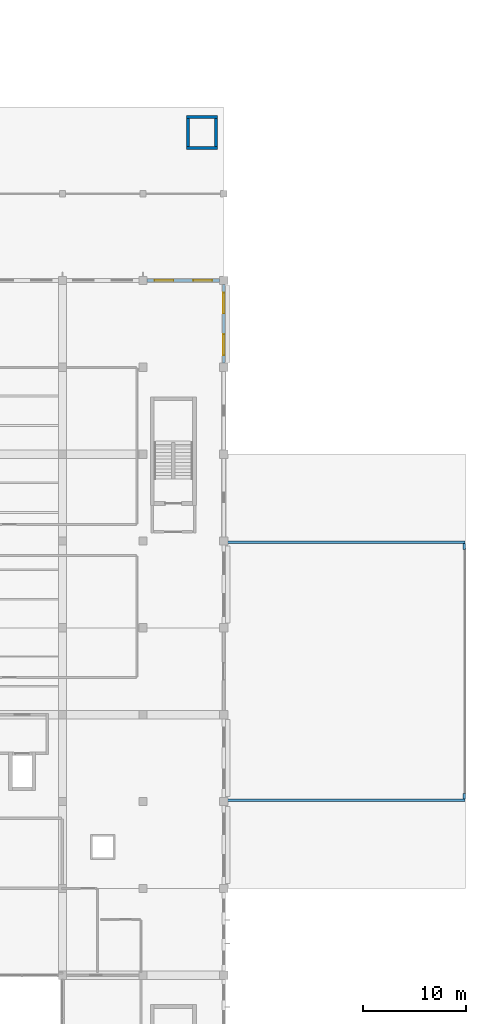
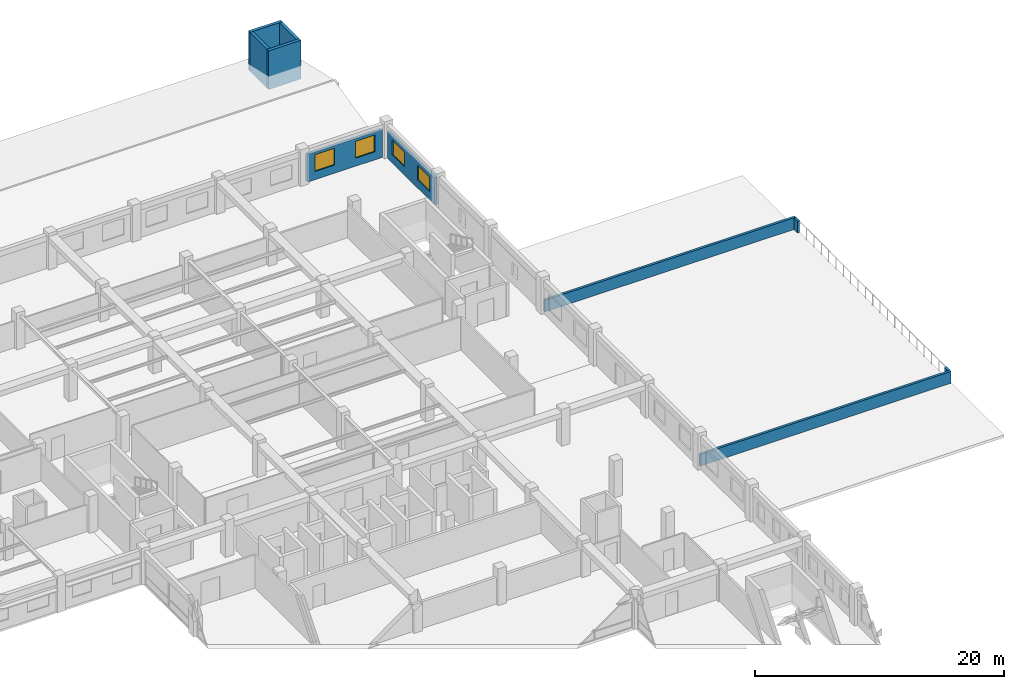
# One storey, part 46 of 50: 10 walls, 4 windows, 4 openings.
"""IFC4 building model written with IfcOpenShell, lengths in metres."""

import ifcopenshell
import ifcopenshell.guid

model = None  # the IFC model being written
_history = None  # IfcOwnerHistory: only IFC2X3 demands one
_inside = {}  # id of a spatial element -> (the spatial element, [elements in it])
_under = {}  # id of a project, library or spatial element -> (it, [spatial elements below it])
_declared = {}  # id of a project -> (the project, [libraries it declares])
_typed = {}  # id of a type object -> (the type object, [elements of that type])
_made_of = {}  # id of a material, layer set ... -> (it, [elements and type objects made of it])


def new_model(schema):
    """Start an empty IFC model of exactly this schema.

    Asked for "IFC4X3", IfcOpenShell would pick the latest addendum, in which some entities
    have other attributes; the version numbers below select the first issue.
    IFC2X3 requires an IfcOwnerHistory on every rooted entity: one is made here for all.
    """
    global model, _history
    if schema == "IFC4X3":
        model = ifcopenshell.file(schema_version=(4, 3, 0, 0))
    else:
        model = ifcopenshell.file(schema=schema)
    _inside.clear()
    _under.clear()
    _declared.clear()
    _typed.clear()
    _made_of.clear()
    _history = None
    if model.schema == "IFC2X3":
        org = make("IfcOrganization", Name="unknown")
        user = make(
            "IfcPersonAndOrganization",
            ThePerson=make("IfcPerson", FamilyName="unknown"),
            TheOrganization=org,
        )
        app = make(
            "IfcApplication",
            ApplicationDeveloper=org,
            Version="unknown",
            ApplicationFullName="unknown",
            ApplicationIdentifier="unknown",
        )
        _history = make(
            "IfcOwnerHistory",
            OwningUser=user,
            OwningApplication=app,
            ChangeAction="ADDED",
            CreationDate=0,
        )
    return model


def make(cls, **values):
    """One entity of the class cls with the attributes given. An attribute that is None is left unset."""
    return model.create_entity(
        cls, **{name: value for name, value in values.items() if value is not None}
    )


def rooted(cls, **values):
    """An entity with a GlobalId (a new one), such as an element, a storey or a relation."""
    return make(cls, GlobalId=ifcopenshell.guid.new(), OwnerHistory=_history, **values)


def si_unit(unit_type, name, prefix=None):
    """IfcSIUnit, for example si_unit("LENGTHUNIT", "METRE", prefix="MILLI")."""
    return make("IfcSIUnit", UnitType=unit_type, Prefix=prefix, Name=name)


def assignment(units):
    """IfcUnitAssignment: the units of a project."""
    return None if units is None else make("IfcUnitAssignment", Units=units)


def point(xyz):
    """IfcCartesianPoint."""
    return None if xyz is None else make("IfcCartesianPoint", Coordinates=xyz)


def direction(xyz):
    """IfcDirection."""
    return None if xyz is None else make("IfcDirection", DirectionRatios=xyz)


def frame(location, z_axis=None, x_axis=None):
    """IfcAxis2Placement3D, a coordinate frame: its origin and axes. An axis left out is left unset."""
    return make(
        "IfcAxis2Placement3D",
        Location=point(location),
        Axis=direction(z_axis),
        RefDirection=direction(x_axis),
    )


def frame_2d(location, x_axis=None):
    """IfcAxis2Placement2D, a coordinate frame in the plane: its origin and x axis."""
    return make(
        "IfcAxis2Placement2D", Location=point(location), RefDirection=direction(x_axis)
    )


def origin():
    """The frame at (0, 0, 0) with its axes left unset."""
    return frame((0.0, 0.0, 0.0))


def place(relative_to, where):
    """IfcLocalPlacement: puts the frame where relative to a parent placement (None: the world)."""
    return make(
        "IfcLocalPlacement", PlacementRelTo=relative_to, RelativePlacement=where
    )


def context(
    kind, dimensions, precision=None, world=None, true_north=None, identifier=None
):
    """IfcGeometricRepresentationContext, for example the 3D "Model" context."""
    return make(
        "IfcGeometricRepresentationContext",
        ContextIdentifier=identifier,
        ContextType=kind,
        CoordinateSpaceDimension=dimensions,
        Precision=precision,
        WorldCoordinateSystem=world,
        TrueNorth=true_north,
    )


def subcontext(parent, identifier, kind, view, scale=None):
    """IfcGeometricRepresentationSubContext, for example "Body" below "Model"."""
    return make(
        "IfcGeometricRepresentationSubContext",
        ContextIdentifier=identifier,
        ContextType=kind,
        ParentContext=parent,
        TargetScale=scale,
        TargetView=view,
    )


def project(units=None, contexts=None):
    """IfcProject with its units and contexts."""
    return rooted(
        "IfcProject",
        Name="project",
        RepresentationContexts=contexts,
        UnitsInContext=assignment(units),
    )


def spatial(cls, under=None, at=None, **own):
    """A site, building, storey or space (cls), placed at a placement, below another one or the project."""
    s = rooted(cls, ObjectPlacement=at, **own)
    if under is not None:
        _under.setdefault(under.id(), (under, []))[1].append(s)
    return s


def profile(cls, at=None, kind="AREA", **sizes):
    """A parametric profile (cls). Its sizes go by their IFC names, for example OverallWidth=200.0."""
    return make(cls, ProfileType=kind, Position=at, **sizes)


def rectangle(**sizes):
    """IfcRectangleProfileDef."""
    return profile("IfcRectangleProfileDef", **sizes)


def extrude(swept, where, along, depth):
    """IfcExtrudedAreaSolid: the profile swept, set in the frame where, extruded along a direction by depth."""
    return make(
        "IfcExtrudedAreaSolid",
        SweptArea=swept,
        Position=where,
        ExtrudedDirection=direction(along),
        Depth=depth,
    )


def shape(context_of_items, identifier, shape_type, items):
    """IfcShapeRepresentation: the items that make up one representation, for example the "Body"."""
    return make(
        "IfcShapeRepresentation",
        ContextOfItems=context_of_items,
        RepresentationIdentifier=identifier,
        RepresentationType=shape_type,
        Items=items,
    )


def material(Name=None, Category=None):
    """IfcMaterial."""
    return make("IfcMaterial", Name=Name, Category=Category)


def layer(
    of_material, thickness, ventilated=None, Name=None, Category=None, Priority=None
):
    """IfcMaterialLayer: one layer of a wall or slab, of a material (None: an air gap)."""
    return make(
        "IfcMaterialLayer",
        Material=of_material,
        LayerThickness=thickness,
        IsVentilated=ventilated,
        Name=Name,
        Category=Category,
        Priority=Priority,
    )


def layer_set(layers, Name=None):
    """IfcMaterialLayerSet."""
    return make("IfcMaterialLayerSet", MaterialLayers=layers, LayerSetName=Name)


def made_of(thing, what):
    """Note that an element or type object is made of a material, layer set ...; save() writes the relation."""
    if what is not None:
        _made_of.setdefault(what.id(), (what, []))[1].append(thing)
    return thing


def type_object(cls, material=None, **own):
    """A type object (cls), such as IfcWallType, which elements share."""
    return made_of(rooted(cls, **own), material)


def element(
    cls,
    number,
    at=None,
    inside=None,
    cuts=None,
    type_object=None,
    material=None,
    context=None,
    identifier="Body",
    shape_type=None,
    held_by="IfcProductDefinitionShape",
    body=None,
    shapes=None,
    **own,
):
    """One element of the class cls, such as IfcWall. Its Tag is "e" and its number.

    at: its placement. inside: the storey or other place that contains it. cuts: it is an
    opening in that element (IfcRelVoidsElement). A single representation is given by context,
    identifier, shape_type and body (its items); several are given by shapes. held_by: the class
    of the entity that holds the representations. save() writes the other relations.
    """
    e = rooted(cls, Tag="e%d" % number, ObjectPlacement=at, **own)
    if body is not None:
        shapes = [shape(context, identifier, shape_type, body)]
    if shapes is not None:
        e.Representation = make(held_by, Representations=shapes)
    if inside is not None:
        _inside.setdefault(inside.id(), (inside, []))[1].append(e)
    if cuts is not None:
        rooted(
            "IfcRelVoidsElement", RelatingBuildingElement=cuts, RelatedOpeningElement=e
        )
    if type_object is not None:
        _typed.setdefault(type_object.id(), (type_object, []))[1].append(e)
    return made_of(e, material)


def fill(opening, filler):
    """IfcRelFillsElement: the door or window that sits in an opening."""
    return rooted(
        "IfcRelFillsElement",
        RelatingOpeningElement=opening,
        RelatedBuildingElement=filler,
    )


def aggregate(whole, parts):
    """IfcRelAggregates: a whole, such as a stair, and the parts it consists of."""
    return rooted("IfcRelAggregates", RelatingObject=whole, RelatedObjects=parts)


def save(model, path):
    """Write the relations noted so far, then the file.

    IfcRelAggregates (storeys below a building ...), IfcRelContainedInSpatialStructure (elements
    in a storey), IfcRelDefinesByType, IfcRelAssociatesMaterial and IfcRelDeclares: one each for
    every whole, place, type object, material and project.
    """
    for whole, parts in _under.values():
        aggregate(whole, parts)
    for where, things in _inside.values():
        rooted(
            "IfcRelContainedInSpatialStructure",
            RelatedElements=things,
            RelatingStructure=where,
        )
    for kind, things in _typed.values():
        rooted("IfcRelDefinesByType", RelatedObjects=things, RelatingType=kind)
    for what, things in _made_of.values():
        rooted("IfcRelAssociatesMaterial", RelatedObjects=things, RelatingMaterial=what)
    for by, libraries in _declared.values():
        rooted("IfcRelDeclares", RelatingContext=by, RelatedDefinitions=libraries)
    model.write(path)


model = new_model("IFC4")

# Units and contexts
model_context = context("Model", 3, precision=1e-05, world=origin(), true_north=direction((0.0, 1.0)))
body_context = subcontext(model_context, "Body", "Model", "MODEL_VIEW")
ifc_project = project(units=[si_unit("LENGTHUNIT", "METRE"), si_unit("AREAUNIT", "SQUARE_METRE"), si_unit("VOLUMEUNIT", "CUBIC_METRE"), si_unit("PLANEANGLEUNIT", "RADIAN"), si_unit("MASSUNIT", "GRAM", prefix="KILO"), si_unit("THERMODYNAMICTEMPERATUREUNIT", "KELVIN"), si_unit("POWERUNIT", "WATT")], contexts=[model_context])

# Site, building, storey
site_placement = place(None, origin())
site = spatial("IfcSite", under=ifc_project, at=site_placement, CompositionType="ELEMENT")
building_placement = place(site_placement, origin())
building = spatial("IfcBuilding", under=site, at=building_placement, Name="Srebrne Nadtorze General Hospital", CompositionType="ELEMENT")
storey_placement = place(building_placement, frame((0.0, 0.0, 14.39990234375)))
storey = spatial("IfcBuildingStorey", under=building, at=storey_placement, Name="L03", CompositionType="ELEMENT", Elevation=14.39990234375)

# Walls
ifc_material_1 = material(Name="Concrete C35/45 precast", Category="concrete")
ifc_layer_1 = layer(ifc_material_1, 0.219970703125)
ifc_layer_set_1 = layer_set([ifc_layer_1], Name="Concrete C35/45 precast")
wall_type_1 = type_object("IfcWallType", Name="Roof parapet wall 220", PredefinedType="PARAPET", material=ifc_layer_set_1)
for number, where, z_axis, x_axis, name in (
    (1, (148.25, 42.1201171875, 0.0), (0.0, 0.0, 1.0), (1.0, 0.0, 0.0), "Terrace divider parapet WP-TER-L03-05"),
    (2, (148.25, 67.080078125, 0.0), (0.0, 0.0, 1.0), (1.0, 0.0, 0.0), "Terrace divider parapet WP-TER-L03-06"),
):
    element("IfcWall", number, at=place(storey_placement, frame(where, z_axis=z_axis, x_axis=x_axis)), inside=storey, type_object=wall_type_1, Name=name, PredefinedType="PARAPET", context=body_context, shape_type="SweptSolid", body=[
        extrude(rectangle(XDim=23.300048828125, YDim=0.219970703125, at=frame_2d((11.64990234375, 0.0))), origin(), (0.0, 0.0, 1.0), 1.150146484375),
    ])
for number, where, z_axis, x_axis, name in (
    (3, (171.47998046875, 42.22998046875, 0.0), (0.0, 0.0, 1.0), (0.0, 1.0, 0.0), "Terrace divider parapet WP-TER-L03-07"),
    (4, (171.47998046875, 66.39990234375, 0.0), (0.0, 0.0, 1.0), (0.0, 1.0, 0.0), "Terrace divider parapet WP-TER-L03-08"),
):
    element("IfcWall", number, at=place(storey_placement, frame(where, z_axis=z_axis, x_axis=x_axis)), inside=storey, type_object=wall_type_1, Name=name, PredefinedType="PARAPET", context=body_context, shape_type="SweptSolid", body=[
        extrude(rectangle(XDim=0.570068359375, YDim=0.219970703125, at=frame_2d((0.28515625, 0.0))), origin(), (0.0, 0.0, 1.0), 1.150146484375),
    ])

# Wall, openings, windows
ifc_material_2 = material(Name="Concrete C35/45 precast", Category="concrete")
ifc_layer_2 = layer(ifc_material_2, 0.260009765625)
ifc_layer_set_2 = layer_set([ifc_layer_2], Name="Concrete C35/45 precast")
wall_type_2 = type_object("IfcWallType", Name="Spandrel wall 260", PredefinedType="STANDARD", material=ifc_layer_set_2)
wall_1_placement = place(storey_placement, frame((140.800048828125, 92.39990234375, 0.0), z_axis=(0.0, 0.0, 1.0), x_axis=(1.0, 0.0, 0.0)))
wall_1 = element("IfcWall", 5, at=wall_1_placement, inside=storey, type_object=wall_type_2, Name="Exterior wall WL-ENV-L03-0313", PredefinedType="STANDARD", context=body_context, shape_type="SweptSolid", body=[
    extrude(rectangle(XDim=7.0, YDim=0.260009765625, at=frame_2d((3.5, 0.0))), origin(), (0.0, 0.0, 1.0), 2.72021484375),
])
opening_1_placement = place(wall_1_placement, frame((0.72802734375, 0.0, 0.800048828125)))
opening_1 = element("IfcOpeningElement", 6, at=opening_1_placement, cuts=wall_1, Name="Opening WN-L03-0445", PredefinedType="OPENING", context=body_context, shape_type="SweptSolid", body=[
    extrude(rectangle(XDim=1.800048828125, YDim=1.64990234375, at=frame_2d((0.89990234375, 0.824951171875))), frame((0.0, 0.14208984375, 0.0), z_axis=(0.0, -1.0, 0.0), x_axis=(1.0, 0.0, 0.0)), (0.0, 0.0, 1.0), 0.283935546875),
])
opening_2_placement = place(wall_1_placement, frame((4.471923828125, 0.0, 0.800048828125)))
opening_2 = element("IfcOpeningElement", 7, at=opening_2_placement, cuts=wall_1, Name="Opening WN-L03-0446", PredefinedType="OPENING", context=body_context, shape_type="SweptSolid", body=[
    extrude(rectangle(XDim=1.800048828125, YDim=1.64990234375, at=frame_2d((0.89990234375, 0.824951171875))), frame((0.0, 0.14208984375, 0.0), z_axis=(0.0, -1.0, 0.0), x_axis=(1.0, 0.0, 0.0)), (0.0, 0.0, 1.0), 0.283935546875),
])
ifc_material_3 = material(Name="Triple Low-E Glazing", Category="glass")
window_type_1 = type_object("IfcWindowType", Name="Punched clinical window 1800x1650", PartitioningType="DOUBLE_PANEL_VERTICAL", PredefinedType="WINDOW", material=ifc_material_3)
window_1_placement = place(opening_1_placement, origin())
window_1 = element("IfcWindow", 8, at=window_1_placement, inside=storey, type_object=window_type_1, Name="Clinical window WN-L03-0445", OverallHeight=1.64990234375, OverallWidth=1.800048828125, PartitioningType="DOUBLE_PANEL_VERTICAL", PredefinedType="WINDOW", context=body_context, shape_type="SweptSolid", body=[
    extrude(rectangle(XDim=1.800048828125, YDim=1.64990234375, at=frame_2d((0.89990234375, 0.824951171875))), frame((0.0, 0.030029296875, 0.0), z_axis=(0.0, -1.0, 0.0), x_axis=(1.0, 0.0, 0.0)), (0.0, 0.0, 1.0), 0.06005859375),
])
fill(opening_1, window_1)
window_2_placement = place(opening_2_placement, origin())
window_2 = element("IfcWindow", 9, at=window_2_placement, inside=storey, type_object=window_type_1, Name="Clinical window WN-L03-0446", OverallHeight=1.64990234375, OverallWidth=1.800048828125, PartitioningType="DOUBLE_PANEL_VERTICAL", PredefinedType="WINDOW", context=body_context, shape_type="SweptSolid", body=[
    extrude(rectangle(XDim=1.800048828125, YDim=1.64990234375, at=frame_2d((0.89990234375, 0.824951171875))), frame((0.0, 0.030029296875, 0.0), z_axis=(0.0, -1.0, 0.0), x_axis=(1.0, 0.0, 0.0)), (0.0, 0.0, 1.0), 0.06005859375),
])
fill(opening_2, window_2)

wall_2_placement = place(storey_placement, frame((148.199951171875, 84.39990234375, 0.0), z_axis=(0.0, 0.0, 1.0), x_axis=(0.0, 1.0, 0.0)))
wall_2 = element("IfcWall", 10, at=wall_2_placement, inside=storey, type_object=wall_type_2, Name="Exterior wall WL-ENV-L03-0343", PredefinedType="STANDARD", context=body_context, shape_type="SweptSolid", body=[
    extrude(rectangle(XDim=7.60009765625, YDim=0.260009765625, at=frame_2d((3.800048828125, 0.0))), origin(), (0.0, 0.0, 1.0), 2.6201171875),
])
opening_3_placement = place(wall_2_placement, frame((0.783935546875, 0.0, 0.800048828125)))
opening_3 = element("IfcOpeningElement", 11, at=opening_3_placement, cuts=wall_2, Name="Opening WN-L03-0505", PredefinedType="OPENING", context=body_context, shape_type="SweptSolid", body=[
    extrude(rectangle(XDim=2.0, YDim=1.449951171875, at=frame_2d((1.0, 0.72509765625))), frame((0.0, 0.14208984375, 0.0), z_axis=(0.0, -1.0, 0.0), x_axis=(1.0, 0.0, 0.0)), (0.0, 0.0, 1.0), 0.283935546875),
])
opening_4_placement = place(wall_2_placement, frame((4.81591796875, 0.0, 0.800048828125)))
opening_4 = element("IfcOpeningElement", 12, at=opening_4_placement, cuts=wall_2, Name="Opening WN-L03-0506", PredefinedType="OPENING", context=body_context, shape_type="SweptSolid", body=[
    extrude(rectangle(XDim=2.0, YDim=1.449951171875, at=frame_2d((1.0, 0.72509765625))), frame((0.0, 0.14208984375, 0.0), z_axis=(0.0, -1.0, 0.0), x_axis=(1.0, 0.0, 0.0)), (0.0, 0.0, 1.0), 0.283935546875),
])
ifc_material_4 = material(Name="Triple Low-E Glazing", Category="glass")
window_type_2 = type_object("IfcWindowType", Name="Punched clinical window 2000x1450", PartitioningType="DOUBLE_PANEL_VERTICAL", PredefinedType="WINDOW", material=ifc_material_4)
window_3_placement = place(opening_3_placement, origin())
window_3 = element("IfcWindow", 13, at=window_3_placement, inside=storey, type_object=window_type_2, Name="Clinical window WN-L03-0505", OverallHeight=1.449951171875, OverallWidth=2.0, PartitioningType="DOUBLE_PANEL_VERTICAL", PredefinedType="WINDOW", context=body_context, shape_type="SweptSolid", body=[
    extrude(rectangle(XDim=2.0, YDim=1.449951171875, at=frame_2d((1.0, 0.72509765625))), frame((0.0, 0.030029296875, 0.0), z_axis=(0.0, -1.0, 0.0), x_axis=(1.0, 0.0, 0.0)), (0.0, 0.0, 1.0), 0.06005859375),
])
fill(opening_3, window_3)
window_4_placement = place(opening_4_placement, origin())
window_4 = element("IfcWindow", 14, at=window_4_placement, inside=storey, type_object=window_type_2, Name="Clinical window WN-L03-0506", OverallHeight=1.449951171875, OverallWidth=2.0, PartitioningType="DOUBLE_PANEL_VERTICAL", PredefinedType="WINDOW", context=body_context, shape_type="SweptSolid", body=[
    extrude(rectangle(XDim=2.0, YDim=1.449951171875, at=frame_2d((1.0, 0.72509765625))), frame((0.0, 0.030029296875, 0.0), z_axis=(0.0, -1.0, 0.0), x_axis=(1.0, 0.0, 0.0)), (0.0, 0.0, 1.0), 0.06005859375),
])
fill(opening_4, window_4)

# Walls
ifc_material_5 = material(Name="Concrete C35/45 precast", Category="concrete")
ifc_layer_3 = layer(ifc_material_5, 0.280029296875)
ifc_layer_set_3 = layer_set([ifc_layer_3], Name="Concrete C35/45 precast")
wall_type_3 = type_object("IfcWallType", Name="Spandrel wall 280", PredefinedType="STANDARD", material=ifc_layer_set_3)
for number, where, z_axis, x_axis, name in (
    (15, (144.60009765625, 105.199951171875, 0.0), (0.0, 0.0, 1.0), (1.0, 0.0, 0.0), "Standby boiler flue enclosure wall S"),
    (16, (144.60009765625, 108.199951171875, 0.0), (0.0, 0.0, 1.0), (1.0, 0.0, 0.0), "Standby boiler flue enclosure wall N"),
):
    element("IfcWall", number, at=place(storey_placement, frame(where, z_axis=z_axis, x_axis=x_axis)), inside=storey, type_object=wall_type_3, Name=name, PredefinedType="STANDARD", context=body_context, shape_type="SweptSolid", body=[
        extrude(rectangle(XDim=3.0, YDim=0.280029296875, at=frame_2d((1.5, 0.0))), origin(), (0.0, 0.0, 1.0), 3.800048828125),
    ])
for number, where, z_axis, x_axis, name in (
    (17, (144.739990234375, 105.340087890625, 0.0), (0.0, 0.0, 1.0), (0.0, 1.0, 0.0), "Standby boiler flue enclosure wall W"),
    (18, (147.4599609375, 105.340087890625, 0.0), (0.0, 0.0, 1.0), (0.0, 1.0, 0.0), "Standby boiler flue enclosure wall E"),
):
    element("IfcWall", number, at=place(storey_placement, frame(where, z_axis=z_axis, x_axis=x_axis)), inside=storey, type_object=wall_type_3, Name=name, PredefinedType="STANDARD", context=body_context, shape_type="SweptSolid", body=[
        extrude(rectangle(XDim=2.719970703125, YDim=0.280029296875, at=frame_2d((1.35986328125, 0.0))), origin(), (0.0, 0.0, 1.0), 3.800048828125),
    ])

save(model, "model.ifc")
